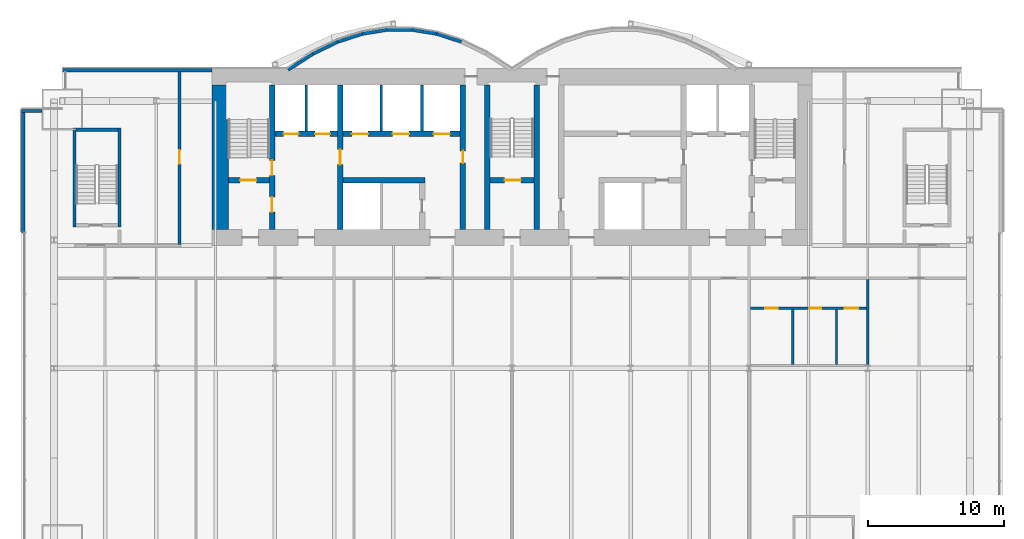
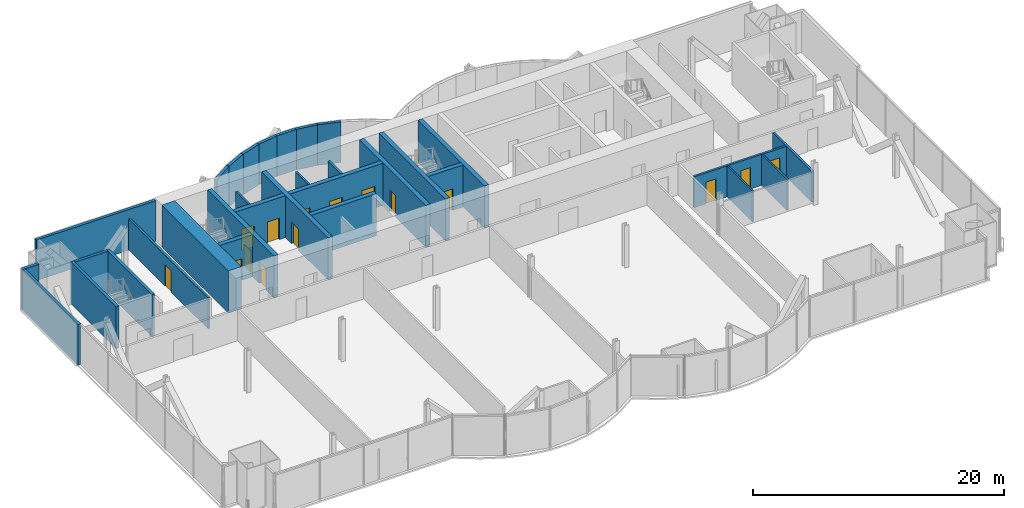
# One storey, part 16 of 21: 31 walls, 15 doors, 15 openings.
"""IFC4 building model written with IfcOpenShell, lengths in metres."""

from ifc_helpers import new_model, si_unit, direction, frame, frame_2d, origin, place, context, subcontext, project, spatial, rectangle, extrude, material, layer, layer_set, layer_usage, type_object, element, fill, save


model = new_model("IFC4")

# Units and contexts
model_context = context("Model", 3, precision=1e-05, world=origin(), true_north=direction((0.0, 1.0)))
body_context = subcontext(model_context, "Body", "Model", "MODEL_VIEW")
ifc_project = project(units=[si_unit("LENGTHUNIT", "METRE"), si_unit("AREAUNIT", "SQUARE_METRE"), si_unit("VOLUMEUNIT", "CUBIC_METRE"), si_unit("PLANEANGLEUNIT", "RADIAN"), si_unit("MASSUNIT", "GRAM", prefix="KILO")], contexts=[model_context])

# Site, building, storey
site_placement = place(None, origin())
site = spatial("IfcSite", under=ifc_project, at=site_placement, CompositionType="ELEMENT")
building_placement = place(site_placement, origin())
building = spatial("IfcBuilding", under=site, at=building_placement, Name="Bicima Exchange Tower", CompositionType="ELEMENT")
storey_placement = place(building_placement, frame((0.0, 0.0, 106.300048828125)))
storey = spatial("IfcBuildingStorey", under=building, at=storey_placement, Name="L22", CompositionType="ELEMENT", Elevation=106.300048828125)

# Walls
ifc_material_1 = material(Name="Gypsum board partition")
ifc_layer_1 = layer(ifc_material_1, 0.199951171875)
ifc_layer_set_1 = layer_set([ifc_layer_1], Name="Gypsum board partition")
wall_type_1 = type_object("IfcWallType", Name="Fire-rated gypsum partition 200 EI120", PredefinedType="PARTITIONING", material=ifc_layer_set_1)
for number, where, z_axis, x_axis, name in (
    (1, (-15.10009765625, -4.60009765625, 0.0), (0.0, 0.0, 1.0), (0.0, 1.0, 0.0), "partition wall 9"),
    (2, (-9.60009765625, -4.60009765625, 0.0), (0.0, 0.0, 1.0), (0.0, 1.0, 0.0), "partition wall 12"),
    (3, (-6.60009765625, -4.60009765625, 0.0), (0.0, 0.0, 1.0), (0.0, 1.0, 0.0), "partition wall 14"),
):
    element("IfcWall", number, at=place(storey_placement, frame(where, z_axis=z_axis, x_axis=x_axis)), inside=storey, type_object=wall_type_1, Name=name, PredefinedType="PARTITIONING", context=body_context, shape_type="SweptSolid", body=[
        extrude(rectangle(XDim=3.400146484375, YDim=0.199951171875, at=frame_2d((1.7001953125, 0.0))), origin(), (0.0, 0.0, 1.0), 3.01806640625),
    ])

# Wall, openings, doors
ifc_layer_2 = layer(ifc_material_1, 0.199951171875)
ifc_layer_set_2 = layer_set([ifc_layer_2], Name="Gypsum board partition")
wall_type_2 = type_object("IfcWallType", Name="Fire-rated gypsum partition 200 EI60", PredefinedType="PARTITIONING", material=ifc_layer_set_2)
wall_1_placement = place(storey_placement, frame((17.5, -17.60009765625, 0.0), z_axis=(0.0, 0.0, 1.0), x_axis=(1.0, 0.0, 0.0)))
wall_1 = element("IfcWall", 4, at=wall_1_placement, inside=storey, type_object=wall_type_2, Name="partition wall 5", PredefinedType="PARTITIONING", context=body_context, shape_type="SweptSolid", body=[
    extrude(rectangle(XDim=8.5, YDim=0.199951171875, at=frame_2d((4.25, 0.0))), origin(), (0.0, 0.0, 1.0), 3.01806640625),
])
opening_1_placement = place(wall_1_placement, frame((1.10009765625, 0.0, 0.0)))
opening_1 = element("IfcOpeningElement", 5, at=opening_1_placement, cuts=wall_1, Name="Opening L22-013", PredefinedType="OPENING", context=body_context, shape_type="SweptSolid", body=[
    extrude(rectangle(XDim=0.89990234375, YDim=2.10009765625, at=frame_2d((0.449951171875, 1.050048828125))), frame((0.0, 0.11181640625, 0.0), z_axis=(0.0, -1.0, 0.0), x_axis=(1.0, 0.0, 0.0)), (0.0, 0.0, 1.0), 0.223876953125),
])
opening_2_placement = place(wall_1_placement, frame((4.300048828125, 0.0, 0.0)))
opening_2 = element("IfcOpeningElement", 6, at=opening_2_placement, cuts=wall_1, Name="Opening L22-014", PredefinedType="OPENING", context=body_context, shape_type="SweptSolid", body=[
    extrude(rectangle(XDim=0.89990234375, YDim=2.10009765625, at=frame_2d((0.449951171875, 1.050048828125))), frame((0.0, 0.11181640625, 0.0), z_axis=(0.0, -1.0, 0.0), x_axis=(1.0, 0.0, 0.0)), (0.0, 0.0, 1.0), 0.223876953125),
])
opening_3_placement = place(wall_1_placement, frame((6.89990234375, 0.0, 0.0)))
opening_3 = element("IfcOpeningElement", 7, at=opening_3_placement, cuts=wall_1, Name="Opening L22-015", PredefinedType="OPENING", context=body_context, shape_type="SweptSolid", body=[
    extrude(rectangle(XDim=1.0, YDim=2.10009765625, at=frame_2d((0.5, 1.050048828125))), frame((0.0, 0.11181640625, 0.0), z_axis=(0.0, -1.0, 0.0), x_axis=(1.0, 0.0, 0.0)), (0.0, 0.0, 1.0), 0.223876953125),
])
ifc_material_2 = material(Name="Steel fire door leaf", Category="steel")
door_type_1 = type_object("IfcDoorType", Name="Door 1000 swing FD30S", OperationType="SINGLE_SWING_LEFT", PredefinedType="DOOR", material=ifc_material_2)
door_1_placement = place(opening_3_placement, frame((1.0, 0.0, 0.0), z_axis=(0.0, 0.0, 1.0), x_axis=(-1.0, 0.0, 0.0)))
door_1 = element("IfcDoor", 8, at=door_1_placement, inside=storey, type_object=door_type_1, Name="Door", OperationType="SINGLE_SWING_RIGHT", OverallHeight=2.10009765625, OverallWidth=1.0, PredefinedType="DOOR", context=body_context, shape_type="SweptSolid", body=[
    extrude(rectangle(XDim=1.0, YDim=2.10009765625, at=frame_2d((0.5, 1.050048828125))), frame((0.0, 0.02490234375, 0.0), z_axis=(0.0, -1.0, 0.0), x_axis=(1.0, 0.0, 0.0)), (0.0, 0.0, 1.0), 0.050048828125),
])
fill(opening_3, door_1)
door_type_2 = type_object("IfcDoorType", Name="Door 900 swing FD30S", OperationType="SINGLE_SWING_LEFT", PredefinedType="DOOR", material=ifc_material_2)
door_2_placement = place(opening_1_placement, frame((0.89990234375, 0.0, 0.0), z_axis=(0.0, 0.0, 1.0), x_axis=(-1.0, 0.0, 0.0)))
door_2 = element("IfcDoor", 9, at=door_2_placement, inside=storey, type_object=door_type_2, Name="Door", OperationType="SINGLE_SWING_LEFT", OverallHeight=2.10009765625, OverallWidth=0.89990234375, PredefinedType="DOOR", context=body_context, shape_type="SweptSolid", body=[
    extrude(rectangle(XDim=0.89990234375, YDim=2.10009765625, at=frame_2d((0.449951171875, 1.050048828125))), frame((0.0, 0.02490234375, 0.0), z_axis=(0.0, -1.0, 0.0), x_axis=(1.0, 0.0, 0.0)), (0.0, 0.0, 1.0), 0.050048828125),
])
fill(opening_1, door_2)
door_3_placement = place(opening_2_placement, frame((0.89990234375, 0.0, 0.0), z_axis=(0.0, 0.0, 1.0), x_axis=(-1.0, 0.0, 0.0)))
door_3 = element("IfcDoor", 10, at=door_3_placement, inside=storey, type_object=door_type_2, Name="Door", OperationType="SINGLE_SWING_RIGHT", OverallHeight=2.10009765625, OverallWidth=0.89990234375, PredefinedType="DOOR", context=body_context, shape_type="SweptSolid", body=[
    extrude(rectangle(XDim=0.89990234375, YDim=2.10009765625, at=frame_2d((0.449951171875, 1.050048828125))), frame((0.0, 0.02490234375, 0.0), z_axis=(0.0, -1.0, 0.0), x_axis=(1.0, 0.0, 0.0)), (0.0, 0.0, 1.0), 0.050048828125),
])
fill(opening_2, door_3)

# Wall, opening, door
wall_2_placement = place(storey_placement, frame((-24.39990234375, -12.89990234375, 0.0), z_axis=(0.0, 0.0, 1.0), x_axis=(0.0, 1.0, 0.0)))
wall_2 = element("IfcWall", 11, at=wall_2_placement, inside=storey, type_object=wall_type_2, Name="partition wall 17", PredefinedType="PARTITIONING", context=body_context, shape_type="SweptSolid", body=[
    extrude(rectangle(XDim=12.68994140625, YDim=0.199951171875, at=frame_2d((6.344970703125, 0.0))), origin(), (0.0, 0.0, 1.0), 3.01806640625),
])
opening_4_placement = place(wall_2_placement, frame((5.89990234375, 0.0, 0.0)))
opening_4 = element("IfcOpeningElement", 12, at=opening_4_placement, cuts=wall_2, Name="Opening L22-005", PredefinedType="OPENING", context=body_context, shape_type="SweptSolid", body=[
    extrude(rectangle(XDim=1.0, YDim=2.10009765625, at=frame_2d((0.5, 1.050048828125))), frame((0.0, 0.11181640625, 0.0), z_axis=(0.0, -1.0, 0.0), x_axis=(1.0, 0.0, 0.0)), (0.0, 0.0, 1.0), 0.223876953125),
])
door_4_placement = place(opening_4_placement, origin())
door_4 = element("IfcDoor", 13, at=door_4_placement, inside=storey, type_object=door_type_1, Name="Door", OperationType="SINGLE_SWING_LEFT", OverallHeight=2.10009765625, OverallWidth=1.0, PredefinedType="DOOR", context=body_context, shape_type="SweptSolid", body=[
    extrude(rectangle(XDim=1.0, YDim=2.10009765625, at=frame_2d((0.5, 1.050048828125))), frame((0.0, 0.02490234375, 0.0), z_axis=(0.0, -1.0, 0.0), x_axis=(1.0, 0.0, 0.0)), (0.0, 0.0, 1.0), 0.050048828125),
])
fill(opening_4, door_4)

# Walls
wall_3_placement = place(storey_placement, frame((26.10009765625, -21.72509765625, 0.0), z_axis=(0.0, 0.0, 1.0), x_axis=(0.0, 1.0, 0.0)))
element("IfcWall", 14, at=wall_3_placement, inside=storey, type_object=wall_type_2, Name="partition wall 32", PredefinedType="PARTITIONING", context=body_context, shape_type="SweptSolid", body=[
    extrude(rectangle(XDim=6.22509765625, YDim=0.199951171875, at=frame_2d((3.112548828125, 0.0))), origin(), (0.0, 0.0, 1.0), 3.01806640625),
])
ifc_layer_3 = layer(ifc_material_1, 0.14990234375)
ifc_layer_set_3 = layer_set([ifc_layer_3], Name="Gypsum board partition")
wall_type_3 = type_object("IfcWallType", Name="Gypsum partition 150", PredefinedType="PARTITIONING", material=ifc_layer_set_3)
for number, where, z_axis, x_axis, name in (
    (15, (20.60009765625, -21.72509765625, 0.0), (0.0, 0.0, 1.0), (0.0, 1.0, 0.0), "partition wall 27"),
    (16, (23.800048828125, -21.72509765625, 0.0), (0.0, 0.0, 1.0), (0.0, 1.0, 0.0), "partition wall 29"),
):
    element("IfcWall", number, at=place(storey_placement, frame(where, z_axis=z_axis, x_axis=x_axis)), inside=storey, type_object=wall_type_3, Name=name, PredefinedType="PARTITIONING", context=body_context, shape_type="SweptSolid", body=[
        extrude(rectangle(XDim=4.025146484375, YDim=0.14990234375, at=frame_2d((2.0126953125, 0.0))), origin(), (0.0, 0.0, 1.0), 3.01806640625),
    ])
ifc_material_3 = material(Name="Concrete C60/75", Category="concrete")
ifc_layer_4 = layer(ifc_material_3, 1.199951171875)
ifc_layer_set_4 = layer_set([ifc_layer_4], Name="Concrete C60/75")
wall_type_4 = type_object("IfcWallType", Name="RC core wall 1200 C60/75", PredefinedType="SHEAR", material=ifc_layer_set_4)
wall_4_placement = place(storey_placement, frame((-21.39990234375, -11.800048828125, 0.0), z_axis=(0.0, 0.0, 1.0), x_axis=(0.0, 1.0, 0.0)))
element("IfcWall", 17, at=wall_4_placement, inside=storey, type_object=wall_type_4, Name="Core wall west", PredefinedType="SHEAR", context=body_context, shape_type="SweptSolid", body=[
    extrude(rectangle(XDim=10.60009765625, YDim=1.199951171875, at=frame_2d((5.300048828125, 0.0))), origin(), (0.0, 0.0, 1.0), 4.099853515625),
])

# Wall, opening, door
ifc_material_4 = material(Name="Concrete C50/60", Category="concrete")
ifc_layer_5 = layer(ifc_material_4, 0.39990234375)
ifc_layer_set_5 = layer_set([ifc_layer_5], Name="Concrete C50/60")
wall_type_5 = type_object("IfcWallType", Name="RC core wall 400 C50/60", PredefinedType="SHEAR", material=ifc_layer_set_5)
wall_5_placement = place(storey_placement, frame((-20.800048828125, -8.199951171875, 0.0), z_axis=(0.0, 0.0, 1.0), x_axis=(1.0, 0.0, 0.0)))
wall_5 = element("IfcWall", 18, at=wall_5_placement, inside=storey, type_object=wall_type_5, Name="stair wall 1", PredefinedType="SHEAR", context=body_context, shape_type="SweptSolid", body=[
    extrude(rectangle(XDim=3.0, YDim=0.39990234375, at=frame_2d((1.5, 0.0))), origin(), (0.0, 0.0, 1.0), 4.099853515625),
])
opening_5_placement = place(wall_5_placement, frame((0.85009765625, 0.0, 0.0)))
opening_5 = element("IfcOpeningElement", 19, at=opening_5_placement, cuts=wall_5, Name="Opening L22-C01", PredefinedType="OPENING", context=body_context, shape_type="SweptSolid", body=[
    extrude(rectangle(XDim=1.199951171875, YDim=2.10009765625, at=frame_2d((0.60009765625, 1.050048828125))), frame((0.0, 0.2119140625, 0.0), z_axis=(0.0, -1.0, 0.0), x_axis=(1.0, 0.0, 0.0)), (0.0, 0.0, 1.0), 0.423828125),
])
door_type_3 = type_object("IfcDoorType", Name="Door 1200 swing FD60S", OperationType="SINGLE_SWING_LEFT", PredefinedType="DOOR", material=ifc_material_2)
door_5_placement = place(opening_5_placement, origin())
door_5 = element("IfcDoor", 20, at=door_5_placement, inside=storey, type_object=door_type_3, Name="Core door", OperationType="SINGLE_SWING_LEFT", OverallHeight=2.10009765625, OverallWidth=1.199951171875, PredefinedType="DOOR", context=body_context, shape_type="SweptSolid", body=[
    extrude(rectangle(XDim=1.199951171875, YDim=2.10009765625, at=frame_2d((0.60009765625, 1.050048828125))), frame((0.0, 0.02490234375, 0.0), z_axis=(0.0, -1.0, 0.0), x_axis=(1.0, 0.0, 0.0)), (0.0, 0.0, 1.0), 0.050048828125),
])
fill(opening_5, door_5)

wall_6_placement = place(storey_placement, frame((-1.60009765625, -8.199951171875, 0.0), z_axis=(0.0, 0.0, 1.0), x_axis=(1.0, 0.0, 0.0)))
wall_6 = element("IfcWall", 21, at=wall_6_placement, inside=storey, type_object=wall_type_5, Name="stair wall 3", PredefinedType="SHEAR", context=body_context, shape_type="SweptSolid", body=[
    extrude(rectangle(XDim=3.2001953125, YDim=0.39990234375, at=frame_2d((1.60009765625, 0.0))), origin(), (0.0, 0.0, 1.0), 4.099853515625),
])
opening_6_placement = place(wall_6_placement, frame((1.050048828125, 0.0, 0.0)))
opening_6 = element("IfcOpeningElement", 22, at=opening_6_placement, cuts=wall_6, Name="Opening L22-C03", PredefinedType="OPENING", context=body_context, shape_type="SweptSolid", body=[
    extrude(rectangle(XDim=1.199951171875, YDim=2.10009765625, at=frame_2d((0.60009765625, 1.050048828125))), frame((0.0, 0.2119140625, 0.0), z_axis=(0.0, -1.0, 0.0), x_axis=(1.0, 0.0, 0.0)), (0.0, 0.0, 1.0), 0.423828125),
])
door_6_placement = place(opening_6_placement, origin())
door_6 = element("IfcDoor", 23, at=door_6_placement, inside=storey, type_object=door_type_3, Name="Core door", OperationType="SINGLE_SWING_LEFT", OverallHeight=2.10009765625, OverallWidth=1.199951171875, PredefinedType="DOOR", context=body_context, shape_type="SweptSolid", body=[
    extrude(rectangle(XDim=1.199951171875, YDim=2.10009765625, at=frame_2d((0.60009765625, 1.050048828125))), frame((0.0, 0.02490234375, 0.0), z_axis=(0.0, -1.0, 0.0), x_axis=(1.0, 0.0, 0.0)), (0.0, 0.0, 1.0), 0.050048828125),
])
fill(opening_6, door_6)

# Wall, openings, doors
wall_7_placement = place(storey_placement, frame((-17.60009765625, -11.800048828125, 0.0), z_axis=(0.0, 0.0, 1.0), x_axis=(0.0, 1.0, 0.0)))
wall_7 = element("IfcWall", 24, at=wall_7_placement, inside=storey, type_object=wall_type_5, Name="stair wall 8", PredefinedType="SHEAR", context=body_context, shape_type="SweptSolid", body=[
    extrude(rectangle(XDim=10.60009765625, YDim=0.39990234375, at=frame_2d((5.300048828125, 0.0))), origin(), (0.0, 0.0, 1.0), 4.099853515625),
])
opening_7_placement = place(wall_7_placement, frame((1.25, 0.0, 0.0)))
opening_7 = element("IfcOpeningElement", 25, at=opening_7_placement, cuts=wall_7, Name="Opening L22-C02", PredefinedType="OPENING", context=body_context, shape_type="SweptSolid", body=[
    extrude(rectangle(XDim=1.10009765625, YDim=2.10009765625, at=frame_2d((0.550048828125, 1.050048828125))), frame((0.0, 0.2119140625, 0.0), z_axis=(0.0, -1.0, 0.0), x_axis=(1.0, 0.0, 0.0)), (0.0, 0.0, 1.0), 0.423828125),
])
opening_8_placement = place(wall_7_placement, frame((3.949951171875, 0.0, 0.0)))
opening_8 = element("IfcOpeningElement", 26, at=opening_8_placement, cuts=wall_7, Name="Opening L22-C06", PredefinedType="OPENING", context=body_context, shape_type="SweptSolid", body=[
    extrude(rectangle(XDim=1.10009765625, YDim=2.10009765625, at=frame_2d((0.550048828125, 1.050048828125))), frame((0.0, 0.2119140625, 0.0), z_axis=(0.0, -1.0, 0.0), x_axis=(1.0, 0.0, 0.0)), (0.0, 0.0, 1.0), 0.423828125),
])
door_type_4 = type_object("IfcDoorType", Name="Door 1100 swing FD60S", OperationType="SINGLE_SWING_LEFT", PredefinedType="DOOR", material=ifc_material_2)
door_7_placement = place(opening_7_placement, frame((1.10009765625, 0.0, 0.0), z_axis=(0.0, 0.0, 1.0), x_axis=(-1.0, 0.0, 0.0)))
door_7 = element("IfcDoor", 27, at=door_7_placement, inside=storey, type_object=door_type_4, Name="Core door", OperationType="SINGLE_SWING_LEFT", OverallHeight=2.10009765625, OverallWidth=1.10009765625, PredefinedType="DOOR", context=body_context, shape_type="SweptSolid", body=[
    extrude(rectangle(XDim=1.10009765625, YDim=2.10009765625, at=frame_2d((0.550048828125, 1.050048828125))), frame((0.0, 0.02490234375, 0.0), z_axis=(0.0, -1.0, 0.0), x_axis=(1.0, 0.0, 0.0)), (0.0, 0.0, 1.0), 0.050048828125),
])
fill(opening_7, door_7)
door_8_placement = place(opening_8_placement, frame((1.10009765625, 0.0, 0.0), z_axis=(0.0, 0.0, 1.0), x_axis=(-1.0, 0.0, 0.0)))
door_8 = element("IfcDoor", 28, at=door_8_placement, inside=storey, type_object=door_type_4, Name="Core door", OperationType="SINGLE_SWING_LEFT", OverallHeight=2.10009765625, OverallWidth=1.10009765625, PredefinedType="DOOR", context=body_context, shape_type="SweptSolid", body=[
    extrude(rectangle(XDim=1.10009765625, YDim=2.10009765625, at=frame_2d((0.550048828125, 1.050048828125))), frame((0.0, 0.02490234375, 0.0), z_axis=(0.0, -1.0, 0.0), x_axis=(1.0, 0.0, 0.0)), (0.0, 0.0, 1.0), 0.050048828125),
])
fill(opening_8, door_8)

# Walls
for number, where, z_axis, x_axis, name in (
    (29, (-1.800048828125, -11.800048828125, 0.0), (0.0, 0.0, 1.0), (0.0, 1.0, 0.0), "stair wall 16"),
    (30, (1.800048828125, -11.800048828125, 0.0), (0.0, 0.0, 1.0), (0.0, 1.0, 0.0), "stair wall 17"),
):
    element("IfcWall", number, at=place(storey_placement, frame(where, z_axis=z_axis, x_axis=x_axis)), inside=storey, type_object=wall_type_5, Name=name, PredefinedType="SHEAR", context=body_context, shape_type="SweptSolid", body=[
        extrude(rectangle(XDim=10.60009765625, YDim=0.39990234375, at=frame_2d((5.300048828125, 0.0))), origin(), (0.0, 0.0, 1.0), 4.099853515625),
    ])
ifc_layer_6 = layer(ifc_material_3, 0.39990234375)
ifc_layer_set_6 = layer_set([ifc_layer_6], Name="Concrete C60/75")
wall_type_6 = type_object("IfcWallType", Name="RC core wall 400 C60/75", PredefinedType="SHEAR", material=ifc_layer_set_6)
wall_8_placement = place(storey_placement, frame((-12.39990234375, -8.199951171875, 0.0), z_axis=(0.0, 0.0, 1.0), x_axis=(1.0, 0.0, 0.0)))
element("IfcWall", 31, at=wall_8_placement, inside=storey, type_object=wall_type_6, Name="shear wall 2", PredefinedType="SHEAR", context=body_context, shape_type="SweptSolid", body=[
    extrude(rectangle(XDim=6.0, YDim=0.39990234375, at=frame_2d((3.0, 0.0))), origin(), (0.0, 0.0, 1.0), 4.099853515625),
])

# Wall, openings, doors
wall_9_placement = place(storey_placement, frame((-17.39990234375, -4.800048828125, 0.0), z_axis=(0.0, 0.0, 1.0), x_axis=(1.0, 0.0, 0.0)))
wall_9 = element("IfcWall", 32, at=wall_9_placement, inside=storey, type_object=wall_type_6, Name="shear wall 6", PredefinedType="SHEAR", context=body_context, shape_type="SweptSolid", body=[
    extrude(rectangle(XDim=13.599853515625, YDim=0.39990234375, at=frame_2d((6.7998046875, 0.0))), origin(), (0.0, 0.0, 1.0), 4.099853515625),
])
opening_9_placement = place(wall_9_placement, frame((0.64990234375, 0.0, 0.0)))
opening_9 = element("IfcOpeningElement", 33, at=opening_9_placement, cuts=wall_9, Name="Opening LD-FF1-L22", PredefinedType="OPENING", context=body_context, shape_type="SweptSolid", body=[
    extrude(rectangle(XDim=1.10009765625, YDim=2.10009765625, at=frame_2d((0.550048828125, 1.050048828125))), frame((0.0, 0.2119140625, 0.0), z_axis=(0.0, -1.0, 0.0), x_axis=(1.0, 0.0, 0.0)), (0.0, 0.0, 1.0), 0.423828125),
])
opening_10_placement = place(wall_9_placement, frame((2.949951171875, 0.0, 0.0)))
opening_10 = element("IfcOpeningElement", 34, at=opening_10_placement, cuts=wall_9, Name="Opening LD-FF3-L22", PredefinedType="OPENING", context=body_context, shape_type="SweptSolid", body=[
    extrude(rectangle(XDim=1.10009765625, YDim=2.10009765625, at=frame_2d((0.550048828125, 1.050048828125))), frame((0.0, 0.2119140625, 0.0), z_axis=(0.0, -1.0, 0.0), x_axis=(1.0, 0.0, 0.0)), (0.0, 0.0, 1.0), 0.423828125),
])
opening_11_placement = place(wall_9_placement, frame((5.64990234375, 0.0, 0.0)))
opening_11 = element("IfcOpeningElement", 35, at=opening_11_placement, cuts=wall_9, Name="Opening LD-LB1-L22", PredefinedType="OPENING", context=body_context, shape_type="SweptSolid", body=[
    extrude(rectangle(XDim=1.199951171875, YDim=2.10009765625, at=frame_2d((0.60009765625, 1.050048828125))), frame((0.0, 0.2119140625, 0.0), z_axis=(0.0, -1.0, 0.0), x_axis=(1.0, 0.0, 0.0)), (0.0, 0.0, 1.0), 0.423828125),
])
opening_12_placement = place(wall_9_placement, frame((8.64990234375, 0.0, 0.0)))
opening_12 = element("IfcOpeningElement", 36, at=opening_12_placement, cuts=wall_9, Name="Opening LD-LB2-L22", PredefinedType="OPENING", context=body_context, shape_type="SweptSolid", body=[
    extrude(rectangle(XDim=1.199951171875, YDim=2.10009765625, at=frame_2d((0.60009765625, 1.050048828125))), frame((0.0, 0.2119140625, 0.0), z_axis=(0.0, -1.0, 0.0), x_axis=(1.0, 0.0, 0.0)), (0.0, 0.0, 1.0), 0.423828125),
])
opening_13_placement = place(wall_9_placement, frame((11.64990234375, 0.0, 0.0)))
opening_13 = element("IfcOpeningElement", 37, at=opening_13_placement, cuts=wall_9, Name="Opening LD-LB3-L22", PredefinedType="OPENING", context=body_context, shape_type="SweptSolid", body=[
    extrude(rectangle(XDim=1.199951171875, YDim=2.10009765625, at=frame_2d((0.60009765625, 1.050048828125))), frame((0.0, 0.2119140625, 0.0), z_axis=(0.0, -1.0, 0.0), x_axis=(1.0, 0.0, 0.0)), (0.0, 0.0, 1.0), 0.423828125),
])
ifc_material_5 = material(Name="Stainless steel", Category="steel")
door_type_5 = type_object("IfcDoorType", Name="Lift landing door 1100 sliding", OperationType="DOUBLE_DOOR_SLIDING", PredefinedType="DOOR", material=ifc_material_5)
door_9_placement = place(opening_9_placement, origin())
door_9 = element("IfcDoor", 38, at=door_9_placement, inside=storey, type_object=door_type_5, Name="Lift landing door FF1", OperationType="DOUBLE_DOOR_SLIDING", OverallHeight=2.10009765625, OverallWidth=1.10009765625, PredefinedType="DOOR", context=body_context, shape_type="SweptSolid", body=[
    extrude(rectangle(XDim=1.10009765625, YDim=2.10009765625, at=frame_2d((0.550048828125, 1.050048828125))), frame((0.0, 0.02490234375, 0.0), z_axis=(0.0, -1.0, 0.0), x_axis=(1.0, 0.0, 0.0)), (0.0, 0.0, 1.0), 0.050048828125),
])
fill(opening_9, door_9)
door_10_placement = place(opening_10_placement, origin())
door_10 = element("IfcDoor", 39, at=door_10_placement, inside=storey, type_object=door_type_5, Name="Lift landing door FF3", OperationType="DOUBLE_DOOR_SLIDING", OverallHeight=2.10009765625, OverallWidth=1.10009765625, PredefinedType="DOOR", context=body_context, shape_type="SweptSolid", body=[
    extrude(rectangle(XDim=1.10009765625, YDim=2.10009765625, at=frame_2d((0.550048828125, 1.050048828125))), frame((0.0, 0.02490234375, 0.0), z_axis=(0.0, -1.0, 0.0), x_axis=(1.0, 0.0, 0.0)), (0.0, 0.0, 1.0), 0.050048828125),
])
fill(opening_10, door_10)
door_type_6 = type_object("IfcDoorType", Name="Lift landing door 1200 sliding", OperationType="DOUBLE_DOOR_SLIDING", PredefinedType="DOOR", material=ifc_material_5)
door_11_placement = place(opening_11_placement, origin())
door_11 = element("IfcDoor", 40, at=door_11_placement, inside=storey, type_object=door_type_6, Name="Lift landing door LB1", OperationType="DOUBLE_DOOR_SLIDING", OverallHeight=2.10009765625, OverallWidth=1.199951171875, PredefinedType="DOOR", context=body_context, shape_type="SweptSolid", body=[
    extrude(rectangle(XDim=1.199951171875, YDim=2.10009765625, at=frame_2d((0.60009765625, 1.050048828125))), frame((0.0, 0.02490234375, 0.0), z_axis=(0.0, -1.0, 0.0), x_axis=(1.0, 0.0, 0.0)), (0.0, 0.0, 1.0), 0.050048828125),
])
fill(opening_11, door_11)
door_12_placement = place(opening_12_placement, origin())
door_12 = element("IfcDoor", 41, at=door_12_placement, inside=storey, type_object=door_type_6, Name="Lift landing door LB2", OperationType="DOUBLE_DOOR_SLIDING", OverallHeight=2.10009765625, OverallWidth=1.199951171875, PredefinedType="DOOR", context=body_context, shape_type="SweptSolid", body=[
    extrude(rectangle(XDim=1.199951171875, YDim=2.10009765625, at=frame_2d((0.60009765625, 1.050048828125))), frame((0.0, 0.02490234375, 0.0), z_axis=(0.0, -1.0, 0.0), x_axis=(1.0, 0.0, 0.0)), (0.0, 0.0, 1.0), 0.050048828125),
])
fill(opening_12, door_12)
door_13_placement = place(opening_13_placement, origin())
door_13 = element("IfcDoor", 42, at=door_13_placement, inside=storey, type_object=door_type_6, Name="Lift landing door LB3", OperationType="DOUBLE_DOOR_SLIDING", OverallHeight=2.10009765625, OverallWidth=1.199951171875, PredefinedType="DOOR", context=body_context, shape_type="SweptSolid", body=[
    extrude(rectangle(XDim=1.199951171875, YDim=2.10009765625, at=frame_2d((0.60009765625, 1.050048828125))), frame((0.0, 0.02490234375, 0.0), z_axis=(0.0, -1.0, 0.0), x_axis=(1.0, 0.0, 0.0)), (0.0, 0.0, 1.0), 0.050048828125),
])
fill(opening_13, door_13)

# Wall, opening, door
wall_10_placement = place(storey_placement, frame((-12.60009765625, -11.800048828125, 0.0), z_axis=(0.0, 0.0, 1.0), x_axis=(0.0, 1.0, 0.0)))
wall_10 = element("IfcWall", 43, at=wall_10_placement, inside=storey, type_object=wall_type_6, Name="shear wall 10", PredefinedType="SHEAR", context=body_context, shape_type="SweptSolid", body=[
    extrude(rectangle(XDim=10.60009765625, YDim=0.39990234375, at=frame_2d((5.300048828125, 0.0))), origin(), (0.0, 0.0, 1.0), 4.099853515625),
])
opening_14_placement = place(wall_10_placement, frame((4.75, 0.0, 0.0)))
opening_14 = element("IfcOpeningElement", 44, at=opening_14_placement, cuts=wall_10, Name="Opening L22-C07", PredefinedType="OPENING", context=body_context, shape_type="SweptSolid", body=[
    extrude(rectangle(XDim=1.10009765625, YDim=2.10009765625, at=frame_2d((0.550048828125, 1.050048828125))), frame((0.0, 0.2119140625, 0.0), z_axis=(0.0, -1.0, 0.0), x_axis=(1.0, 0.0, 0.0)), (0.0, 0.0, 1.0), 0.423828125),
])
door_14_placement = place(opening_14_placement, origin())
door_14 = element("IfcDoor", 45, at=door_14_placement, inside=storey, type_object=door_type_4, Name="Core door", OperationType="SINGLE_SWING_LEFT", OverallHeight=2.10009765625, OverallWidth=1.10009765625, PredefinedType="DOOR", context=body_context, shape_type="SweptSolid", body=[
    extrude(rectangle(XDim=1.10009765625, YDim=2.10009765625, at=frame_2d((0.550048828125, 1.050048828125))), frame((0.0, 0.02490234375, 0.0), z_axis=(0.0, -1.0, 0.0), x_axis=(1.0, 0.0, 0.0)), (0.0, 0.0, 1.0), 0.050048828125),
])
fill(opening_14, door_14)

wall_11_placement = place(storey_placement, frame((-3.60009765625, -11.800048828125, 0.0), z_axis=(0.0, 0.0, 1.0), x_axis=(0.0, 1.0, 0.0)))
wall_11 = element("IfcWall", 46, at=wall_11_placement, inside=storey, type_object=wall_type_6, Name="shear wall 15", PredefinedType="SHEAR", context=body_context, shape_type="SweptSolid", body=[
    extrude(rectangle(XDim=10.60009765625, YDim=0.39990234375, at=frame_2d((5.300048828125, 0.0))), origin(), (0.0, 0.0, 1.0), 4.099853515625),
])
opening_15_placement = place(wall_11_placement, frame((4.85009765625, 0.0, 0.0)))
opening_15 = element("IfcOpeningElement", 47, at=opening_15_placement, cuts=wall_11, Name="Opening L22-C10", PredefinedType="OPENING", context=body_context, shape_type="SweptSolid", body=[
    extrude(rectangle(XDim=0.89990234375, YDim=2.10009765625, at=frame_2d((0.449951171875, 1.050048828125))), frame((0.0, 0.2119140625, 0.0), z_axis=(0.0, -1.0, 0.0), x_axis=(1.0, 0.0, 0.0)), (0.0, 0.0, 1.0), 0.423828125),
])
door_15_placement = place(opening_15_placement, frame((0.89990234375, 0.0, 0.0), z_axis=(0.0, 0.0, 1.0), x_axis=(-1.0, 0.0, 0.0)))
door_15 = element("IfcDoor", 48, at=door_15_placement, inside=storey, type_object=door_type_2, Name="Core door", OperationType="SINGLE_SWING_LEFT", OverallHeight=2.10009765625, OverallWidth=0.89990234375, PredefinedType="DOOR", context=body_context, shape_type="SweptSolid", body=[
    extrude(rectangle(XDim=0.89990234375, YDim=2.10009765625, at=frame_2d((0.449951171875, 1.050048828125))), frame((0.0, 0.02490234375, 0.0), z_axis=(0.0, -1.0, 0.0), x_axis=(1.0, 0.0, 0.0)), (0.0, 0.0, 1.0), 0.050048828125),
])
fill(opening_15, door_15)

# Walls
ifc_layer_7 = layer(ifc_material_4, 0.25)
ifc_layer_set_7 = layer_set([ifc_layer_7], Name="Concrete C50/60")
wall_type_7 = type_object("IfcWallType", Name="RC stair enclosure wall 250 C50/60", PredefinedType="SHEAR", material=ifc_layer_set_7)
for number, where, z_axis, x_axis, name in (
    (49, (-32.10009765625, -11.625, 0.0), (0.0, 0.0, 1.0), (0.0, 1.0, 0.0), "West end exit stair wall W"),
    (50, (-28.800048828125, -11.625, 0.0), (0.0, 0.0, 1.0), (0.0, 1.0, 0.0), "West end exit stair wall E"),
):
    element("IfcWall", number, at=place(storey_placement, frame(where, z_axis=z_axis, x_axis=x_axis)), inside=storey, type_object=wall_type_7, Name=name, PredefinedType="SHEAR", context=body_context, shape_type="SweptSolid", body=[
        extrude(rectangle(XDim=7.25, YDim=0.25, at=frame_2d((3.625, 0.0))), origin(), (0.0, 0.0, 1.0), 4.099853515625),
    ])
wall_12_placement = place(storey_placement, frame((-31.97509765625, -4.5, 0.0), z_axis=(0.0, 0.0, 1.0), x_axis=(1.0, 0.0, 0.0)))
element("IfcWall", 51, at=wall_12_placement, inside=storey, type_object=wall_type_7, Name="West end exit stair wall N", PredefinedType="SHEAR", context=body_context, shape_type="SweptSolid", body=[
    extrude(rectangle(XDim=3.050048828125, YDim=0.25, at=frame_2d((1.52490234375, 0.0))), origin(), (0.0, 0.0, 1.0), 4.099853515625),
])
ifc_material_6 = material(Name="Concrete C40/50", Category="concrete")
ifc_layer_8 = layer(ifc_material_6, 0.25)
ifc_layer_set_8 = layer_set([ifc_layer_8], Name="Concrete C40/50")
ifc_layer_usage = layer_usage(ifc_layer_set_8, "AXIS2", "POSITIVE", -0.125)
wall_type_8 = type_object("IfcWallType", Name="Rear backup wall 250", PredefinedType="STANDARD", material=ifc_layer_set_8)
wall_13_placement = place(storey_placement, frame((-3.705078125, 1.955078125, 0.0), z_axis=(0.0, 0.0, 1.0), x_axis=(-0.951495806175, 0.307661714928, 0.0)))
element("IfcWall", 52, at=wall_13_placement, inside=storey, type_object=wall_type_8, material=ifc_layer_usage, Name="Rear backup wall L22 13", PredefinedType="STANDARD", context=body_context, shape_type="SweptSolid", body=[
    extrude(rectangle(XDim=1.9267578125, YDim=0.25, at=frame_2d((0.96337890625, 0.0))), origin(), (0.0, 0.0, 1.0), 3.949951171875),
])
wall_14_placement = place(storey_placement, frame((-5.52001953125, 2.543212890625, 0.0), z_axis=(0.0, 0.0, 1.0), x_axis=(-0.987181718931, 0.159600293885, 0.0)))
element("IfcWall", 53, at=wall_14_placement, inside=storey, type_object=wall_type_8, material=ifc_layer_usage, Name="Rear backup wall L22 14", PredefinedType="STANDARD", context=body_context, shape_type="SweptSolid", body=[
    extrude(rectangle(XDim=1.857177734375, YDim=0.25, at=frame_2d((0.9287109375, 0.0))), origin(), (0.0, 0.0, 1.0), 3.949951171875),
])
wall_15_placement = place(storey_placement, frame((-7.333251953125, 2.837890625, 0.0), z_axis=(0.0, 0.0, 1.0), x_axis=(-1.0, 0.0, 0.0)))
element("IfcWall", 54, at=wall_15_placement, inside=storey, type_object=wall_type_8, material=ifc_layer_usage, Name="Rear backup wall L22 15", PredefinedType="STANDARD", context=body_context, shape_type="SweptSolid", body=[
    extrude(rectangle(XDim=1.83349609375, YDim=0.25, at=frame_2d((0.916748046875, 0.0))), origin(), (0.0, 0.0, 1.0), 3.949951171875),
])
wall_16_placement = place(storey_placement, frame((-9.146728515625, 2.839599609375, 0.0), z_axis=(0.0, 0.0, 1.0), x_axis=(-0.987181718931, -0.159600293885, 0.0)))
element("IfcWall", 55, at=wall_16_placement, inside=storey, type_object=wall_type_8, material=ifc_layer_usage, Name="Rear backup wall L22 16", PredefinedType="STANDARD", context=body_context, shape_type="SweptSolid", body=[
    extrude(rectangle(XDim=1.857177734375, YDim=0.25, at=frame_2d((0.9287109375, 0.0))), origin(), (0.0, 0.0, 1.0), 3.949951171875),
])
wall_17_placement = place(storey_placement, frame((-10.961669921875, 2.5478515625, 0.0), z_axis=(0.0, 0.0, 1.0), x_axis=(-0.951495806175, -0.307661714928, 0.0)))
element("IfcWall", 56, at=wall_17_placement, inside=storey, type_object=wall_type_8, material=ifc_layer_usage, Name="Rear backup wall L22 17", PredefinedType="STANDARD", context=body_context, shape_type="SweptSolid", body=[
    extrude(rectangle(XDim=1.9267578125, YDim=0.25, at=frame_2d((0.96337890625, 0.0))), origin(), (0.0, 0.0, 1.0), 3.949951171875),
])
wall_18_placement = place(storey_placement, frame((-12.77880859375, 1.961669921875, 0.0), z_axis=(0.0, 0.0, 1.0), x_axis=(-0.89982408427, -0.436252928206, 0.0)))
element("IfcWall", 57, at=wall_18_placement, inside=storey, type_object=wall_type_8, material=ifc_layer_usage, Name="Rear backup wall L22 18", PredefinedType="STANDARD", context=body_context, shape_type="SweptSolid", body=[
    extrude(rectangle(XDim=2.03759765625, YDim=0.25, at=frame_2d((1.018798828125, 0.0))), origin(), (0.0, 0.0, 1.0), 3.949951171875),
])
wall_19_placement = place(storey_placement, frame((-14.598876953125, 1.080078125, 0.0), z_axis=(0.0, 0.0, 1.0), x_axis=(-0.83981312244, -0.542875602121, 0.0)))
element("IfcWall", 58, at=wall_19_placement, inside=storey, type_object=wall_type_8, material=ifc_layer_usage, Name="Rear backup wall L22 19", PredefinedType="STANDARD", context=body_context, shape_type="SweptSolid", body=[
    extrude(rectangle(XDim=2.182861328125, YDim=0.25, at=frame_2d((1.09130859375, 0.0))), origin(), (0.0, 0.0, 1.0), 3.949951171875),
])
wall_20_placement = place(storey_placement, frame((-22.0, -0.125, 0.0), z_axis=(0.0, 0.0, 1.0), x_axis=(-1.0, 0.0, 0.0)))
element("IfcWall", 59, at=wall_20_placement, inside=storey, type_object=wall_type_8, material=ifc_layer_usage, Name="Rear backup wall L22 20", PredefinedType="STANDARD", context=body_context, shape_type="SweptSolid", body=[
    extrude(rectangle(XDim=11.0, YDim=0.25, at=frame_2d((5.5, 0.0))), origin(), (0.0, 0.0, 1.0), 3.949951171875),
])
wall_21_placement = place(storey_placement, frame((-34.5, -3.125, 0.0), z_axis=(0.0, 0.0, 1.0), x_axis=(-1.0, 0.0, 0.0)))
element("IfcWall", 60, at=wall_21_placement, inside=storey, type_object=wall_type_8, material=ifc_layer_usage, Name="Rear backup wall L22 22", PredefinedType="STANDARD", context=body_context, shape_type="SweptSolid", body=[
    extrude(rectangle(XDim=1.5, YDim=0.25, at=frame_2d((0.75, 0.0))), origin(), (0.0, 0.0, 1.0), 3.949951171875),
])
wall_22_placement = place(storey_placement, frame((-35.875, -3.0, 0.0), z_axis=(0.0, 0.0, 1.0), x_axis=(0.0, -1.0, 0.0)))
element("IfcWall", 61, at=wall_22_placement, inside=storey, type_object=wall_type_8, material=ifc_layer_usage, Name="Rear backup wall L22 23", PredefinedType="STANDARD", context=body_context, shape_type="SweptSolid", body=[
    extrude(rectangle(XDim=9.090087890625, YDim=0.25, at=frame_2d((4.544921875, 0.0))), origin(), (0.0, 0.0, 1.0), 3.949951171875),
])

save(model, "model.ifc")
